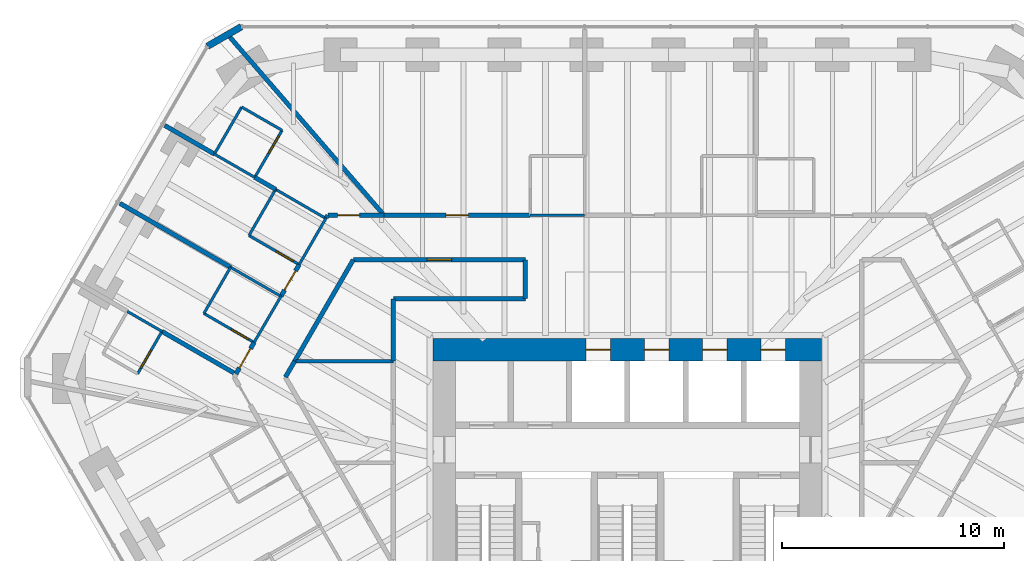
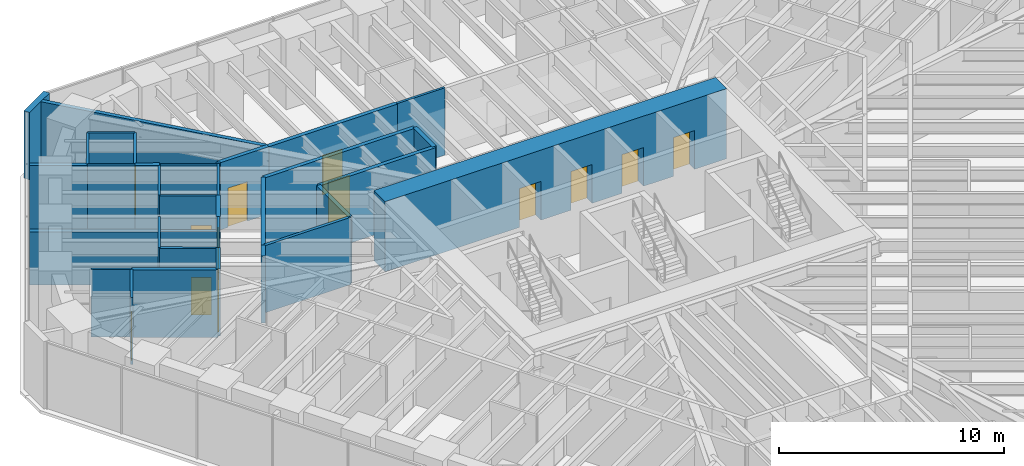
# One storey, part 14 of 17: 34 walls, 13 doors, 13 openings.
"""IFC4 building model written with IfcOpenShell, lengths in metres."""

from ifc_helpers import new_model, si_unit, direction, frame, frame_2d, origin, place, context, subcontext, project, spatial, rectangle, extrude, material, layer, layer_set, type_object, element, fill, save


model = new_model("IFC4")

# Units and contexts
model_context = context("Model", 3, precision=1e-05, world=origin(), true_north=direction((0.0, 1.0)))
body_context = subcontext(model_context, "Body", "Model", "MODEL_VIEW")
ifc_project = project(units=[si_unit("LENGTHUNIT", "METRE"), si_unit("AREAUNIT", "SQUARE_METRE"), si_unit("VOLUMEUNIT", "CUBIC_METRE"), si_unit("PLANEANGLEUNIT", "RADIAN"), si_unit("MASSUNIT", "GRAM", prefix="KILO")], contexts=[model_context])

# Site, building, storey
site_placement = place(None, origin())
site = spatial("IfcSite", under=ifc_project, at=site_placement, CompositionType="ELEMENT")
building_placement = place(site_placement, origin())
building = spatial("IfcBuilding", under=site, at=building_placement, Name="Sandreach Pilgrim Tower", CompositionType="ELEMENT")
storey_placement = place(building_placement, frame((0.0, 0.0, 194.60009765625)))
storey = spatial("IfcBuildingStorey", under=building, at=storey_placement, Name="L48", CompositionType="ELEMENT", Elevation=194.60009765625)

# Walls
ifc_material_1 = material(Name="Gypsum board on steel studs", Category="steel")
ifc_layer_1 = layer(ifc_material_1, 0.14990234375)
ifc_layer_set_1 = layer_set([ifc_layer_1], Name="Back of house wall 150")
wall_type_1 = type_object("IfcWallType", Name="Back of house wall 150", PredefinedType="PARTITIONING", material=ifc_layer_set_1)
wall_1_placement = place(storey_placement, frame((-14.93505859375, 6.090087890625, 0.0), z_axis=(0.0, 0.0, 1.0), x_axis=(1.0, 0.0, 0.0)))
element("IfcWall", 1, at=wall_1_placement, inside=storey, type_object=wall_type_1, Name="Back of house wall L48-037", PredefinedType="PARTITIONING", context=body_context, shape_type="SweptSolid", body=[
    extrude(rectangle(XDim=4.385009765625, YDim=0.14990234375, at=frame_2d((2.1923828125, 0.0))), origin(), (0.0, 0.0, 1.0), 3.639892578125),
])
ifc_material_2 = material(Name="Moisture-resistant gypsum board on steel studs", Category="steel")
ifc_layer_2 = layer(ifc_material_2, 0.1201171875)
ifc_layer_set_2 = layer_set([ifc_layer_2], Name="Bathroom partition 120")
wall_type_2 = type_object("IfcWallType", Name="Bathroom partition 120", PredefinedType="PARTITIONING", material=ifc_layer_set_2)
wall_2_placement = place(storey_placement, frame((-22.530029296875, 8.330078125, 0.0), z_axis=(0.0, 0.0, 1.0), x_axis=(0.866158505053, -0.499769390944, 0.0)))
element("IfcWall", 2, at=wall_2_placement, inside=storey, type_object=wall_type_2, Name="Bathroom partition L48-006", PredefinedType="PARTITIONING", context=body_context, shape_type="SweptSolid", body=[
    extrude(rectangle(XDim=1.801025390625, YDim=0.1201171875, at=frame_2d((0.900390625, 0.0))), origin(), (0.0, 0.0, 1.0), 3.639892578125),
])

# Wall, opening, door
wall_3_placement = place(storey_placement, frame((-22.070068359375, 5.52001953125, 0.0), z_axis=(0.0, 0.0, 1.0), x_axis=(0.499118212815, 0.866533905648, 0.0)))
wall_3 = element("IfcWall", 3, at=wall_3_placement, inside=storey, type_object=wall_type_2, Name="Bathroom partition L48-007", PredefinedType="PARTITIONING", context=body_context, shape_type="SweptSolid", body=[
    extrude(rectangle(XDim=2.2041015625, YDim=0.1201171875, at=frame_2d((1.10205078125, 0.0))), origin(), (0.0, 0.0, 1.0), 3.639892578125),
])
opening_1_placement = place(wall_3_placement, frame((0.300048828125, 0.0, 0.0)))
opening_1 = element("IfcOpeningElement", 4, at=opening_1_placement, cuts=wall_3, Name="Opening D09-17B", PredefinedType="OPENING", context=body_context, shape_type="SweptSolid", body=[
    extrude(rectangle(XDim=0.89990234375, YDim=2.030029296875, at=frame_2d((0.449951171875, 1.01513671875))), frame((0.0, 0.06005859375, 0.0), z_axis=(0.0, -1.0, 0.0), x_axis=(1.0, 0.0, 0.0)), (0.0, 0.0, 1.0), 0.1201171875),
])
ifc_material_3 = material(Name="Timber door, steel frame", Category="steel")
door_type_1 = type_object("IfcDoorType", Name="Bathroom door", OperationType="SINGLE_SWING_LEFT", PredefinedType="DOOR", material=ifc_material_3)
door_1_placement = place(opening_1_placement, origin())
door_1 = element("IfcDoor", 5, at=door_1_placement, inside=storey, type_object=door_type_1, Name="Door 4817B", OperationType="SINGLE_SWING_LEFT", OverallHeight=2.030029296875, OverallWidth=0.89990234375, PredefinedType="DOOR", context=body_context, shape_type="SweptSolid", body=[
    extrude(rectangle(XDim=0.89990234375, YDim=2.030029296875, at=frame_2d((0.449951171875, 1.01513671875))), frame((0.0, 0.02490234375, 0.0), z_axis=(0.0, -1.0, 0.0), x_axis=(1.0, 0.0, 0.0)), (0.0, 0.0, 1.0), 0.050048828125),
])
fill(opening_1, door_1)

wall_4_placement = place(storey_placement, frame((-19.080078125, 8.239990234375, 0.0), z_axis=(0.0, 0.0, 1.0), x_axis=(0.865155281359, -0.50150407689, 0.0)))
wall_4 = element("IfcWall", 6, at=wall_4_placement, inside=storey, type_object=wall_type_2, Name="Bathroom partition L48-011", PredefinedType="PARTITIONING", context=body_context, shape_type="SweptSolid", body=[
    extrude(rectangle(XDim=2.6123046875, YDim=0.1201171875, at=frame_2d((1.30615234375, 0.0))), origin(), (0.0, 0.0, 1.0), 3.639892578125),
])
opening_2_placement = place(wall_4_placement, frame((1.412109375, 0.0, 0.0)))
opening_2 = element("IfcOpeningElement", 7, at=opening_2_placement, cuts=wall_4, Name="Opening D09-18B", PredefinedType="OPENING", context=body_context, shape_type="SweptSolid", body=[
    extrude(rectangle(XDim=0.89990234375, YDim=2.030029296875, at=frame_2d((0.449951171875, 1.01513671875))), frame((0.0, 0.06005859375, 0.0), z_axis=(0.0, -1.0, 0.0), x_axis=(1.0, 0.0, 0.0)), (0.0, 0.0, 1.0), 0.1201171875),
])
door_2_placement = place(opening_2_placement, origin())
door_2 = element("IfcDoor", 8, at=door_2_placement, inside=storey, type_object=door_type_1, Name="Door 4818B", OperationType="SINGLE_SWING_RIGHT", OverallHeight=2.030029296875, OverallWidth=0.89990234375, PredefinedType="DOOR", context=body_context, shape_type="SweptSolid", body=[
    extrude(rectangle(XDim=0.89990234375, YDim=2.030029296875, at=frame_2d((0.449951171875, 1.01513671875))), frame((0.0, 0.02490234375, 0.0), z_axis=(0.0, -1.0, 0.0), x_axis=(1.0, 0.0, 0.0)), (0.0, 0.0, 1.0), 0.050048828125),
])
fill(opening_2, door_2)

# Walls
wall_5_placement = place(storey_placement, frame((-18.610107421875, 15.419921875, 0.0), z_axis=(0.0, 0.0, 1.0), x_axis=(0.86618365172, -0.499725806311, 0.0)))
element("IfcWall", 9, at=wall_5_placement, inside=storey, type_object=wall_type_2, Name="Bathroom partition L48-013", PredefinedType="PARTITIONING", context=body_context, shape_type="SweptSolid", body=[
    extrude(rectangle(XDim=2.101318359375, YDim=0.1201171875, at=frame_2d((1.05078125, 0.0))), origin(), (0.0, 0.0, 1.0), 3.639892578125),
])
wall_6_placement = place(storey_placement, frame((-17.8798828125, 10.320068359375, 0.0), z_axis=(0.0, 0.0, 1.0), x_axis=(-0.499769390944, -0.866158505053, 0.0)))
element("IfcWall", 10, at=wall_6_placement, inside=storey, type_object=wall_type_2, Name="Bathroom partition L48-014", PredefinedType="PARTITIONING", context=body_context, shape_type="SweptSolid", body=[
    extrude(rectangle(XDim=2.401611328125, YDim=0.1201171875, at=frame_2d((1.20068359375, 0.0))), origin(), (0.0, 0.0, 1.0), 3.639892578125),
])
wall_7_placement = place(storey_placement, frame((-17.8798828125, 10.320068359375, 0.0), z_axis=(0.0, 0.0, 1.0), x_axis=(0.866114241029, -0.499846097802, 0.0)))
element("IfcWall", 11, at=wall_7_placement, inside=storey, type_object=wall_type_2, Name="Bathroom partition L48-015", PredefinedType="PARTITIONING", context=body_context, shape_type="SweptSolid", body=[
    extrude(rectangle(XDim=2.620849609375, YDim=0.1201171875, at=frame_2d((1.310546875, 0.0))), origin(), (0.0, 0.0, 1.0), 2.8779296875),
])
wall_8_placement = place(storey_placement, frame((-17.3798828125, 17.5400390625, 0.0), z_axis=(0.0, 0.0, 1.0), x_axis=(-0.501888006485, -0.864932615264, 0.0)))
element("IfcWall", 12, at=wall_8_placement, inside=storey, type_object=wall_type_2, Name="Bathroom partition L48-020", PredefinedType="PARTITIONING", context=body_context, shape_type="SweptSolid", body=[
    extrude(rectangle(XDim=2.451171875, YDim=0.1201171875, at=frame_2d((1.2255859375, 0.0))), origin(), (0.0, 0.0, 1.0), 3.639892578125),
])

# Wall, opening, door
wall_9_placement = place(storey_placement, frame((-17.050048828125, 11.75, 0.0), z_axis=(0.0, 0.0, 1.0), x_axis=(0.865155281359, -0.50150407689, 0.0)))
wall_9 = element("IfcWall", 13, at=wall_9_placement, inside=storey, type_object=wall_type_2, Name="Bathroom partition L48-022", PredefinedType="PARTITIONING", context=body_context, shape_type="SweptSolid", body=[
    extrude(rectangle(XDim=2.6123046875, YDim=0.1201171875, at=frame_2d((1.30615234375, 0.0))), origin(), (0.0, 0.0, 1.0), 3.639892578125),
])
opening_3_placement = place(wall_9_placement, frame((1.412109375, 0.0, 0.0)))
opening_3 = element("IfcOpeningElement", 14, at=opening_3_placement, cuts=wall_9, Name="Opening D09-19B", PredefinedType="OPENING", context=body_context, shape_type="SweptSolid", body=[
    extrude(rectangle(XDim=0.89990234375, YDim=2.030029296875, at=frame_2d((0.449951171875, 1.01513671875))), frame((0.0, 0.06005859375, 0.0), z_axis=(0.0, -1.0, 0.0), x_axis=(1.0, 0.0, 0.0)), (0.0, 0.0, 1.0), 0.1201171875),
])
door_3_placement = place(opening_3_placement, origin())
door_3 = element("IfcDoor", 15, at=door_3_placement, inside=storey, type_object=door_type_1, Name="Door 4819B", OperationType="SINGLE_SWING_RIGHT", OverallHeight=2.030029296875, OverallWidth=0.89990234375, PredefinedType="DOOR", context=body_context, shape_type="SweptSolid", body=[
    extrude(rectangle(XDim=0.89990234375, YDim=2.030029296875, at=frame_2d((0.449951171875, 1.01513671875))), frame((0.0, 0.02490234375, 0.0), z_axis=(0.0, -1.0, 0.0), x_axis=(1.0, 0.0, 0.0)), (0.0, 0.0, 1.0), 0.050048828125),
])
fill(opening_3, door_3)

# Wall
wall_10_placement = place(storey_placement, frame((-16.820068359375, 6.929931640625, 0.0), z_axis=(0.0, 0.0, 1.0), x_axis=(0.502810888564, 0.864396442809, 0.0)))
element("IfcWall", 16, at=wall_10_placement, inside=storey, type_object=wall_type_2, Name="Bathroom partition L48-023", PredefinedType="PARTITIONING", context=body_context, shape_type="SweptSolid", body=[
    extrude(rectangle(XDim=2.406494140625, YDim=0.1201171875, at=frame_2d((1.203125, 0.0))), origin(), (0.0, 0.0, 1.0), 3.639892578125),
])

# Wall, opening, door
wall_11_placement = place(storey_placement, frame((-16.7900390625, 14.3701171875, 0.0), z_axis=(0.0, 0.0, 1.0), x_axis=(0.501856726365, 0.86495076519, 0.0)))
wall_11 = element("IfcWall", 17, at=wall_11_placement, inside=storey, type_object=wall_type_2, Name="Bathroom partition L48-025", PredefinedType="PARTITIONING", context=body_context, shape_type="SweptSolid", body=[
    extrude(rectangle(XDim=2.450927734375, YDim=0.1201171875, at=frame_2d((1.2255859375, 0.0))), origin(), (0.0, 0.0, 1.0), 3.639892578125),
])
opening_4_placement = place(wall_11_placement, frame((1.2509765625, 0.0, 0.0)))
opening_4 = element("IfcOpeningElement", 18, at=opening_4_placement, cuts=wall_11, Name="Opening D09-20B", PredefinedType="OPENING", context=body_context, shape_type="SweptSolid", body=[
    extrude(rectangle(XDim=0.89990234375, YDim=2.030029296875, at=frame_2d((0.449951171875, 1.01513671875))), frame((0.0, 0.06005859375, 0.0), z_axis=(0.0, -1.0, 0.0), x_axis=(1.0, 0.0, 0.0)), (0.0, 0.0, 1.0), 0.1201171875),
])
door_4_placement = place(opening_4_placement, origin())
door_4 = element("IfcDoor", 19, at=door_4_placement, inside=storey, type_object=door_type_1, Name="Door 4820B", OperationType="SINGLE_SWING_RIGHT", OverallHeight=2.030029296875, OverallWidth=0.89990234375, PredefinedType="DOOR", context=body_context, shape_type="SweptSolid", body=[
    extrude(rectangle(XDim=0.89990234375, YDim=2.030029296875, at=frame_2d((0.449951171875, 1.01513671875))), frame((0.0, 0.02490234375, 0.0), z_axis=(0.0, -1.0, 0.0), x_axis=(1.0, 0.0, 0.0)), (0.0, 0.0, 1.0), 0.050048828125),
])
fill(opening_4, door_4)

# Walls
wall_12_placement = place(storey_placement, frame((-15.85009765625, 13.830078125, 0.0), z_axis=(0.0, 0.0, 1.0), x_axis=(-0.499693115345, -0.866202511239, 0.0)))
element("IfcWall", 20, at=wall_12_placement, inside=storey, type_object=wall_type_2, Name="Bathroom partition L48-030", PredefinedType="PARTITIONING", context=body_context, shape_type="SweptSolid", body=[
    extrude(rectangle(XDim=2.4013671875, YDim=0.1201171875, at=frame_2d((1.20068359375, 0.0))), origin(), (0.0, 0.0, 1.0), 3.639892578125),
])
wall_13_placement = place(storey_placement, frame((-15.85009765625, 13.830078125, 0.0), z_axis=(0.0, 0.0, 1.0), x_axis=(0.865155281359, -0.50150407689, 0.0)))
element("IfcWall", 21, at=wall_13_placement, inside=storey, type_object=wall_type_2, Name="Bathroom partition L48-031", PredefinedType="PARTITIONING", context=body_context, shape_type="SweptSolid", body=[
    extrude(rectangle(XDim=2.6123046875, YDim=0.1201171875, at=frame_2d((1.30615234375, 0.0))), origin(), (0.0, 0.0, 1.0), 3.639892578125),
])
wall_14_placement = place(storey_placement, frame((-15.56005859375, 16.489990234375, 0.0), z_axis=(0.0, 0.0, 1.0), x_axis=(-0.86618365172, 0.499725806311, 0.0)))
element("IfcWall", 22, at=wall_14_placement, inside=storey, type_object=wall_type_2, Name="Bathroom partition L48-033", PredefinedType="PARTITIONING", context=body_context, shape_type="SweptSolid", body=[
    extrude(rectangle(XDim=2.101318359375, YDim=0.1201171875, at=frame_2d((1.05078125, 0.0))), origin(), (0.0, 0.0, 1.0), 3.639892578125),
])
wall_15_placement = place(storey_placement, frame((-14.78857421875, 10.439208984375, 0.0), z_axis=(0.0, 0.0, 1.0), x_axis=(0.499942119333, 0.866058818624, 0.0)))
element("IfcWall", 23, at=wall_15_placement, inside=storey, type_object=wall_type_2, Name="Bathroom partition L48-039", PredefinedType="PARTITIONING", context=body_context, shape_type="SweptSolid", body=[
    extrude(rectangle(XDim=2.437255859375, YDim=0.1201171875, at=frame_2d((1.21875, 0.0))), origin(), (0.0, 0.0, 1.0), 3.639892578125),
])
wall_16_placement = place(storey_placement, frame((-1.929931640625, 12.659912109375, 0.0), z_axis=(0.0, 0.0, 1.0), x_axis=(-1.0, 0.0, 0.0)))
element("IfcWall", 24, at=wall_16_placement, inside=storey, type_object=wall_type_2, Name="Bathroom partition L48-076", PredefinedType="PARTITIONING", context=body_context, shape_type="SweptSolid", body=[
    extrude(rectangle(XDim=2.449951171875, YDim=0.1201171875, at=frame_2d((1.22509765625, 0.0))), origin(), (0.0, 0.0, 1.0), 3.639892578125),
])

# Wall, openings, doors
ifc_material_4 = material(Name="Concrete 10000 psi", Category="concrete")
ifc_layer_3 = layer(ifc_material_4, 1.0)
ifc_layer_set_3 = layer_set([ifc_layer_3], Name="Core wall 1000")
wall_type_3 = type_object("IfcWallType", Name="Core wall 1000", PredefinedType="SHEAR", material=ifc_layer_set_3)
wall_17_placement = place(storey_placement, frame((-8.75, 6.60009765625, 0.0), z_axis=(0.0, 0.0, 1.0), x_axis=(1.0, 0.0, 0.0)))
wall_17 = element("IfcWall", 25, at=wall_17_placement, inside=storey, type_object=wall_type_3, Name="Core wall N L48", PredefinedType="SHEAR", context=body_context, shape_type="SweptSolid", body=[
    extrude(rectangle(XDim=17.5, YDim=1.0, at=frame_2d((8.75, 0.0))), origin(), (0.0, 0.0, 1.0), 3.7998046875),
])
opening_5_placement = place(wall_17_placement, frame((6.887451171875, 0.0, 0.0)))
opening_5 = element("IfcOpeningElement", 26, at=opening_5_placement, cuts=wall_17, Name="Opening LD11", PredefinedType="OPENING", context=body_context, shape_type="SweptSolid", body=[
    extrude(rectangle(XDim=1.10009765625, YDim=2.10009765625, at=frame_2d((0.550048828125, 1.050048828125))), frame((0.0, 0.5, 0.0), z_axis=(0.0, -1.0, 0.0), x_axis=(1.0, 0.0, 0.0)), (0.0, 0.0, 1.0), 1.0),
])
opening_6_placement = place(wall_17_placement, frame((9.512451171875, 0.0, 0.0)))
opening_6 = element("IfcOpeningElement", 27, at=opening_6_placement, cuts=wall_17, Name="Opening LD11", PredefinedType="OPENING", context=body_context, shape_type="SweptSolid", body=[
    extrude(rectangle(XDim=1.10009765625, YDim=2.10009765625, at=frame_2d((0.550048828125, 1.050048828125))), frame((0.0, 0.5, 0.0), z_axis=(0.0, -1.0, 0.0), x_axis=(1.0, 0.0, 0.0)), (0.0, 0.0, 1.0), 1.0),
])
opening_7_placement = place(wall_17_placement, frame((12.137451171875, 0.0, 0.0)))
opening_7 = element("IfcOpeningElement", 28, at=opening_7_placement, cuts=wall_17, Name="Opening LD11", PredefinedType="OPENING", context=body_context, shape_type="SweptSolid", body=[
    extrude(rectangle(XDim=1.10009765625, YDim=2.10009765625, at=frame_2d((0.550048828125, 1.050048828125))), frame((0.0, 0.5, 0.0), z_axis=(0.0, -1.0, 0.0), x_axis=(1.0, 0.0, 0.0)), (0.0, 0.0, 1.0), 1.0),
])
opening_8_placement = place(wall_17_placement, frame((14.762451171875, 0.0, 0.0)))
opening_8 = element("IfcOpeningElement", 29, at=opening_8_placement, cuts=wall_17, Name="Opening LD11", PredefinedType="OPENING", context=body_context, shape_type="SweptSolid", body=[
    extrude(rectangle(XDim=1.10009765625, YDim=2.10009765625, at=frame_2d((0.550048828125, 1.050048828125))), frame((0.0, 0.5, 0.0), z_axis=(0.0, -1.0, 0.0), x_axis=(1.0, 0.0, 0.0)), (0.0, 0.0, 1.0), 1.0),
])
ifc_material_5 = material(Name="Steel door and frame", Category="steel")
door_type_2 = type_object("IfcDoorType", Name="Lift landing door", OperationType="DOUBLE_DOOR_SLIDING", PredefinedType="DOOR", material=ifc_material_5)
door_5_placement = place(opening_5_placement, origin())
door_5 = element("IfcDoor", 30, at=door_5_placement, inside=storey, type_object=door_type_2, Name="Lift landing door Z3A L48", OperationType="DOUBLE_DOOR_SLIDING", OverallHeight=2.10009765625, OverallWidth=1.10009765625, PredefinedType="DOOR", context=body_context, shape_type="SweptSolid", body=[
    extrude(rectangle(XDim=1.10009765625, YDim=2.10009765625, at=frame_2d((0.550048828125, 1.050048828125))), frame((0.0, 0.02490234375, 0.0), z_axis=(0.0, -1.0, 0.0), x_axis=(1.0, 0.0, 0.0)), (0.0, 0.0, 1.0), 0.050048828125),
])
fill(opening_5, door_5)
door_6_placement = place(opening_6_placement, origin())
door_6 = element("IfcDoor", 31, at=door_6_placement, inside=storey, type_object=door_type_2, Name="Lift landing door Z3B L48", OperationType="DOUBLE_DOOR_SLIDING", OverallHeight=2.10009765625, OverallWidth=1.10009765625, PredefinedType="DOOR", context=body_context, shape_type="SweptSolid", body=[
    extrude(rectangle(XDim=1.10009765625, YDim=2.10009765625, at=frame_2d((0.550048828125, 1.050048828125))), frame((0.0, 0.02490234375, 0.0), z_axis=(0.0, -1.0, 0.0), x_axis=(1.0, 0.0, 0.0)), (0.0, 0.0, 1.0), 0.050048828125),
])
fill(opening_6, door_6)
door_7_placement = place(opening_7_placement, origin())
door_7 = element("IfcDoor", 32, at=door_7_placement, inside=storey, type_object=door_type_2, Name="Lift landing door Z3C L48", OperationType="DOUBLE_DOOR_SLIDING", OverallHeight=2.10009765625, OverallWidth=1.10009765625, PredefinedType="DOOR", context=body_context, shape_type="SweptSolid", body=[
    extrude(rectangle(XDim=1.10009765625, YDim=2.10009765625, at=frame_2d((0.550048828125, 1.050048828125))), frame((0.0, 0.02490234375, 0.0), z_axis=(0.0, -1.0, 0.0), x_axis=(1.0, 0.0, 0.0)), (0.0, 0.0, 1.0), 0.050048828125),
])
fill(opening_7, door_7)
door_8_placement = place(opening_8_placement, origin())
door_8 = element("IfcDoor", 33, at=door_8_placement, inside=storey, type_object=door_type_2, Name="Lift landing door Z3D L48", OperationType="DOUBLE_DOOR_SLIDING", OverallHeight=2.10009765625, OverallWidth=1.10009765625, PredefinedType="DOOR", context=body_context, shape_type="SweptSolid", body=[
    extrude(rectangle(XDim=1.10009765625, YDim=2.10009765625, at=frame_2d((0.550048828125, 1.050048828125))), frame((0.0, 0.02490234375, 0.0), z_axis=(0.0, -1.0, 0.0), x_axis=(1.0, 0.0, 0.0)), (0.0, 0.0, 1.0), 0.050048828125),
])
fill(opening_8, door_8)

# Wall, opening, door
ifc_material_6 = material(Name="Gypsum board on steel studs, two layers each side", Category="steel")
ifc_layer_4 = layer(ifc_material_6, 0.199951171875)
ifc_layer_set_4 = layer_set([ifc_layer_4], Name="Corridor wall 200")
wall_type_4 = type_object("IfcWallType", Name="Corridor wall 200", PredefinedType="PARTITIONING", material=ifc_layer_set_4)
wall_18_placement = place(storey_placement, frame((-17.639892578125, 5.510009765625, 0.0), z_axis=(0.0, 0.0, 1.0), x_axis=(0.500014611105, 0.866016967894, 0.0)))
wall_18 = element("IfcWall", 34, at=wall_18_placement, inside=storey, type_object=wall_type_4, Name="Corridor wall L48-017", PredefinedType="PARTITIONING", context=body_context, shape_type="SweptSolid", body=[
    extrude(rectangle(XDim=1.6396484375, YDim=0.199951171875, at=frame_2d((0.81982421875, 0.0))), origin(), (0.0, 0.0, 1.0), 3.639892578125),
])
opening_9_placement = place(wall_18_placement, frame((0.31982421875, 0.0, 0.0)))
opening_9 = element("IfcOpeningElement", 35, at=opening_9_placement, cuts=wall_18, Name="Opening D10-18", PredefinedType="OPENING", context=body_context, shape_type="SweptSolid", body=[
    extrude(rectangle(XDim=1.0, YDim=2.1298828125, at=frame_2d((0.5, 1.06494140625))), frame((0.0, 0.10009765625, 0.0), z_axis=(0.0, -1.0, 0.0), x_axis=(1.0, 0.0, 0.0)), (0.0, 0.0, 1.0), 0.199951171875),
])
ifc_material_7 = material(Name="Steel door and frame", Category="steel")
door_type_3 = type_object("IfcDoorType", Name="Guest room entry door", OperationType="SINGLE_SWING_LEFT", PredefinedType="DOOR", material=ifc_material_7)
door_9_placement = place(opening_9_placement, origin())
door_9 = element("IfcDoor", 36, at=door_9_placement, inside=storey, type_object=door_type_3, Name="Door 4818", OperationType="SINGLE_SWING_LEFT", OverallHeight=2.1298828125, OverallWidth=1.0, PredefinedType="DOOR", context=body_context, shape_type="SweptSolid", body=[
    extrude(rectangle(XDim=1.0, YDim=2.1298828125, at=frame_2d((0.5, 1.06494140625))), frame((0.0, 0.02490234375, 0.0), z_axis=(0.0, -1.0, 0.0), x_axis=(1.0, 0.0, 0.0)), (0.0, 0.0, 1.0), 0.050048828125),
])
fill(opening_9, door_9)

wall_19_placement = place(storey_placement, frame((-15.610107421875, 9.010009765625, 0.0), z_axis=(0.0, 0.0, 1.0), x_axis=(0.498354254121, 0.866973492905, 0.0)))
wall_19 = element("IfcWall", 37, at=wall_19_placement, inside=storey, type_object=wall_type_4, Name="Corridor wall L48-032", PredefinedType="PARTITIONING", context=body_context, shape_type="SweptSolid", body=[
    extrude(rectangle(XDim=1.6484375, YDim=0.199951171875, at=frame_2d((0.82421875, 0.0))), origin(), (0.0, 0.0, 1.0), 3.639892578125),
])
opening_10_placement = place(wall_19_placement, frame((0.32421875, 0.0, 0.0)))
opening_10 = element("IfcOpeningElement", 38, at=opening_10_placement, cuts=wall_19, Name="Opening D10-19", PredefinedType="OPENING", context=body_context, shape_type="SweptSolid", body=[
    extrude(rectangle(XDim=1.0, YDim=2.1298828125, at=frame_2d((0.5, 1.06494140625))), frame((0.0, 0.10009765625, 0.0), z_axis=(0.0, -1.0, 0.0), x_axis=(1.0, 0.0, 0.0)), (0.0, 0.0, 1.0), 0.199951171875),
])
door_10_placement = place(opening_10_placement, origin())
door_10 = element("IfcDoor", 39, at=door_10_placement, inside=storey, type_object=door_type_3, Name="Door 4819", OperationType="SINGLE_SWING_LEFT", OverallHeight=2.1298828125, OverallWidth=1.0, PredefinedType="DOOR", context=body_context, shape_type="SweptSolid", body=[
    extrude(rectangle(XDim=1.0, YDim=2.1298828125, at=frame_2d((0.5, 1.06494140625))), frame((0.0, 0.02490234375, 0.0), z_axis=(0.0, -1.0, 0.0), x_axis=(1.0, 0.0, 0.0)), (0.0, 0.0, 1.0), 0.050048828125),
])
fill(opening_10, door_10)

# Walls
wall_20_placement = place(storey_placement, frame((-15.409912109375, 5.3701171875, 0.0), z_axis=(0.0, 0.0, 1.0), x_axis=(0.503943891868, 0.863736391412, 0.0)))
element("IfcWall", 40, at=wall_20_placement, inside=storey, type_object=wall_type_4, Name="Corridor wall L48-034", PredefinedType="PARTITIONING", context=body_context, shape_type="SweptSolid", body=[
    extrude(rectangle(XDim=0.833251953125, YDim=0.199951171875, at=frame_2d((0.41650390625, 0.0))), origin(), (0.0, 0.0, 1.0), 3.639892578125),
])
wall_21_placement = place(storey_placement, frame((-14.989990234375, 6.090087890625, 0.0), z_axis=(0.0, 0.0, 1.0), x_axis=(0.500213626659, 0.86590203124, 0.0)))
element("IfcWall", 41, at=wall_21_placement, inside=storey, type_object=wall_type_4, Name="Corridor wall L48-036", PredefinedType="PARTITIONING", context=body_context, shape_type="SweptSolid", body=[
    extrude(rectangle(XDim=5.277587890625, YDim=0.199951171875, at=frame_2d((2.638671875, 0.0))), origin(), (0.0, 0.0, 1.0), 3.639892578125),
])
wall_22_placement = place(storey_placement, frame((-13.5, 12.659912109375, 0.0), z_axis=(0.0, 0.0, 1.0), x_axis=(-0.537723852201, -0.843121022614, 0.0)))
element("IfcWall", 42, at=wall_22_placement, inside=storey, type_object=wall_type_4, Name="Corridor wall L48-041", PredefinedType="PARTITIONING", context=body_context, shape_type="SweptSolid", body=[
    extrude(rectangle(XDim=0.13037109375, YDim=0.199951171875, at=frame_2d((0.065185546875, 0.0))), origin(), (0.0, 0.0, 1.0), 3.639892578125),
])

# Wall, opening, door
wall_23_placement = place(storey_placement, frame((-12.35009765625, 10.659912109375, 0.0), z_axis=(0.0, 0.0, 1.0), x_axis=(1.0, 0.0, 0.0)))
wall_23 = element("IfcWall", 43, at=wall_23_placement, inside=storey, type_object=wall_type_4, Name="Corridor wall L48-044", PredefinedType="PARTITIONING", context=body_context, shape_type="SweptSolid", body=[
    extrude(rectangle(XDim=7.75, YDim=0.199951171875, at=frame_2d((3.875, 0.0))), origin(), (0.0, 0.0, 1.0), 3.639892578125),
])
opening_11_placement = place(wall_23_placement, frame((3.324951171875, 0.0, 0.0)))
opening_11 = element("IfcOpeningElement", 44, at=opening_11_placement, cuts=wall_23, Name="Opening D11H-M03", PredefinedType="OPENING", context=body_context, shape_type="SweptSolid", body=[
    extrude(rectangle(XDim=1.10009765625, YDim=2.199951171875, at=frame_2d((0.550048828125, 1.10009765625))), frame((0.0, 0.10009765625, 0.0), z_axis=(0.0, -1.0, 0.0), x_axis=(1.0, 0.0, 0.0)), (0.0, 0.0, 1.0), 0.199951171875),
])
ifc_material_8 = material(Name="Steel door and frame", Category="steel")
door_type_4 = type_object("IfcDoorType", Name="Back of house door", OperationType="SINGLE_SWING_LEFT", PredefinedType="DOOR", material=ifc_material_8)
door_11_placement = place(opening_11_placement, origin())
door_11 = element("IfcDoor", 45, at=door_11_placement, inside=storey, type_object=door_type_4, Name="Door 48M03", OperationType="SINGLE_SWING_LEFT", OverallHeight=2.199951171875, OverallWidth=1.10009765625, PredefinedType="DOOR", context=body_context, shape_type="SweptSolid", body=[
    extrude(rectangle(XDim=1.10009765625, YDim=2.199951171875, at=frame_2d((0.550048828125, 1.10009765625))), frame((0.0, 0.02490234375, 0.0), z_axis=(0.0, -1.0, 0.0), x_axis=(1.0, 0.0, 0.0)), (0.0, 0.0, 1.0), 0.050048828125),
])
fill(opening_11, door_11)

wall_24_placement = place(storey_placement, frame((-10.9599609375, 12.659912109375, 0.0), z_axis=(0.0, 0.0, 1.0), x_axis=(-1.0, 0.0, 0.0)))
wall_24 = element("IfcWall", 46, at=wall_24_placement, inside=storey, type_object=wall_type_4, Name="Corridor wall L48-049", PredefinedType="PARTITIONING", context=body_context, shape_type="SweptSolid", body=[
    extrude(rectangle(XDim=2.5400390625, YDim=0.199951171875, at=frame_2d((1.27001953125, 0.0))), origin(), (0.0, 0.0, 1.0), 3.639892578125),
])
opening_12_placement = place(wall_24_placement, frame((1.10009765625, 0.0, 0.0)))
opening_12 = element("IfcOpeningElement", 47, at=opening_12_placement, cuts=wall_24, Name="Opening D10-20", PredefinedType="OPENING", context=body_context, shape_type="SweptSolid", body=[
    extrude(rectangle(XDim=1.0, YDim=2.1298828125, at=frame_2d((0.5, 1.06494140625))), frame((0.0, 0.10009765625, 0.0), z_axis=(0.0, -1.0, 0.0), x_axis=(1.0, 0.0, 0.0)), (0.0, 0.0, 1.0), 0.199951171875),
])
door_12_placement = place(opening_12_placement, origin())
door_12 = element("IfcDoor", 48, at=door_12_placement, inside=storey, type_object=door_type_3, Name="Door 4820", OperationType="SINGLE_SWING_RIGHT", OverallHeight=2.1298828125, OverallWidth=1.0, PredefinedType="DOOR", context=body_context, shape_type="SweptSolid", body=[
    extrude(rectangle(XDim=1.0, YDim=2.1298828125, at=frame_2d((0.5, 1.06494140625))), frame((0.0, 0.02490234375, 0.0), z_axis=(0.0, -1.0, 0.0), x_axis=(1.0, 0.0, 0.0)), (0.0, 0.0, 1.0), 0.050048828125),
])
fill(opening_12, door_12)

# Walls
wall_25_placement = place(storey_placement, frame((-10.550048828125, 8.889892578125, 0.0), z_axis=(0.0, 0.0, 1.0), x_axis=(0.0, -1.0, 0.0)))
element("IfcWall", 49, at=wall_25_placement, inside=storey, type_object=wall_type_4, Name="Corridor wall L48-054", PredefinedType="PARTITIONING", context=body_context, shape_type="SweptSolid", body=[
    extrude(rectangle(XDim=2.7998046875, YDim=0.199951171875, at=frame_2d((1.39990234375, 0.0))), origin(), (0.0, 0.0, 1.0), 3.639892578125),
])
wall_26_placement = place(storey_placement, frame((-4.60009765625, 8.89990234375, 0.0), z_axis=(0.0, 0.0, 1.0), x_axis=(-1.0, 0.0, 0.0)))
element("IfcWall", 50, at=wall_26_placement, inside=storey, type_object=wall_type_4, Name="Corridor wall L48-061", PredefinedType="PARTITIONING", context=body_context, shape_type="SweptSolid", body=[
    extrude(rectangle(XDim=5.949951171875, YDim=0.199951171875, at=frame_2d((2.97509765625, 0.0))), origin(), (0.0, 0.0, 1.0), 3.639892578125),
])
wall_27_placement = place(storey_placement, frame((-4.60009765625, 10.64990234375, 0.0), z_axis=(0.0, 0.0, 1.0), x_axis=(0.0, -1.0, 0.0)))
element("IfcWall", 51, at=wall_27_placement, inside=storey, type_object=wall_type_4, Name="Corridor wall L48-062", PredefinedType="PARTITIONING", context=body_context, shape_type="SweptSolid", body=[
    extrude(rectangle(XDim=1.739990234375, YDim=0.199951171875, at=frame_2d((0.8701171875, 0.0))), origin(), (0.0, 0.0, 1.0), 3.639892578125),
])

# Wall, opening, door
wall_28_placement = place(storey_placement, frame((-4.3798828125, 12.659912109375, 0.0), z_axis=(0.0, 0.0, 1.0), x_axis=(-1.0, 0.0, 0.0)))
wall_28 = element("IfcWall", 52, at=wall_28_placement, inside=storey, type_object=wall_type_4, Name="Corridor wall L48-063", PredefinedType="PARTITIONING", context=body_context, shape_type="SweptSolid", body=[
    extrude(rectangle(XDim=6.580078125, YDim=0.199951171875, at=frame_2d((3.2900390625, 0.0))), origin(), (0.0, 0.0, 1.0), 3.639892578125),
])
opening_13_placement = place(wall_28_placement, frame((2.7900390625, 0.0, 0.0)))
opening_13 = element("IfcOpeningElement", 53, at=opening_13_placement, cuts=wall_28, Name="Opening D10-01", PredefinedType="OPENING", context=body_context, shape_type="SweptSolid", body=[
    extrude(rectangle(XDim=1.0, YDim=2.1298828125, at=frame_2d((0.5, 1.06494140625))), frame((0.0, 0.10009765625, 0.0), z_axis=(0.0, -1.0, 0.0), x_axis=(1.0, 0.0, 0.0)), (0.0, 0.0, 1.0), 0.199951171875),
])
door_13_placement = place(opening_13_placement, origin())
door_13 = element("IfcDoor", 54, at=door_13_placement, inside=storey, type_object=door_type_3, Name="Door 4801", OperationType="SINGLE_SWING_LEFT", OverallHeight=2.1298828125, OverallWidth=1.0, PredefinedType="DOOR", context=body_context, shape_type="SweptSolid", body=[
    extrude(rectangle(XDim=1.0, YDim=2.1298828125, at=frame_2d((0.5, 1.06494140625))), frame((0.0, 0.02490234375, 0.0), z_axis=(0.0, -1.0, 0.0), x_axis=(1.0, 0.0, 0.0)), (0.0, 0.0, 1.0), 0.050048828125),
])
fill(opening_13, door_13)

# Walls
ifc_material_9 = material(Name="Double steel stud acoustic wall, gypsum board", Category="steel")
ifc_layer_5 = layer(ifc_material_9, 0.199951171875)
ifc_layer_set_5 = layer_set([ifc_layer_5], Name="Party wall 200")
wall_type_5 = type_object("IfcWallType", Name="Party wall 200", PredefinedType="PARTITIONING", material=ifc_layer_set_5)
wall_29_placement = place(storey_placement, frame((-22.865966796875, 13.199951171875, 0.0), z_axis=(0.0, 0.0, 1.0), x_axis=(0.865937714159, -0.500151852138, 0.0)))
element("IfcWall", 55, at=wall_29_placement, inside=storey, type_object=wall_type_5, Name="Party wall L48-004", PredefinedType="PARTITIONING", context=body_context, shape_type="SweptSolid", body=[
    extrude(rectangle(XDim=5.758056640625, YDim=0.199951171875, at=frame_2d((2.87890625, 0.0))), origin(), (0.0, 0.0, 1.0), 2.8779296875),
])
wall_30_placement = place(storey_placement, frame((-20.969970703125, 7.429931640625, 0.0), z_axis=(0.0, 0.0, 1.0), x_axis=(0.866325681624, -0.499479542482, 0.0)))
element("IfcWall", 56, at=wall_30_placement, inside=storey, type_object=wall_type_5, Name="Party wall L48-009", PredefinedType="PARTITIONING", context=body_context, shape_type="SweptSolid", body=[
    extrude(rectangle(XDim=3.82861328125, YDim=0.199951171875, at=frame_2d((1.914306640625, 0.0))), origin(), (0.0, 0.0, 1.0), 3.639892578125),
])
wall_31_placement = place(storey_placement, frame((-20.845947265625, 16.7099609375, 0.0), z_axis=(0.0, 0.0, 1.0), x_axis=(0.866163541035, -0.499760662899, 0.0)))
element("IfcWall", 57, at=wall_31_placement, inside=storey, type_object=wall_type_5, Name="Party wall L48-010", PredefinedType="PARTITIONING", context=body_context, shape_type="SweptSolid", body=[
    extrude(rectangle(XDim=2.581298828125, YDim=0.199951171875, at=frame_2d((1.29052734375, 0.0))), origin(), (0.0, 0.0, 1.0), 3.639892578125),
])
wall_32_placement = place(storey_placement, frame((-16.7900390625, 14.3701171875, 0.0), z_axis=(0.0, 0.0, 1.0), x_axis=(0.867132442133, -0.498077632303, 0.0)))
element("IfcWall", 58, at=wall_32_placement, inside=storey, type_object=wall_type_5, Name="Party wall L48-024", PredefinedType="PARTITIONING", context=body_context, shape_type="SweptSolid", body=[
    extrude(rectangle(XDim=1.084228515625, YDim=0.199951171875, at=frame_2d((0.5419921875, 0.0))), origin(), (0.0, 0.0, 1.0), 3.639892578125),
])
wall_33_placement = place(storey_placement, frame((-11.025390625, 12.735595703125, 0.0), z_axis=(0.0, 0.0, 1.0), x_axis=(-0.654431245438, 0.756121514702, 0.0)))
element("IfcWall", 59, at=wall_33_placement, inside=storey, type_object=wall_type_5, Name="Party wall L48-048", PredefinedType="PARTITIONING", context=body_context, shape_type="SweptSolid", body=[
    extrude(rectangle(XDim=10.6884765625, YDim=0.199951171875, at=frame_2d((5.34423828125, 0.0))), origin(), (0.0, 0.0, 1.0), 3.639892578125),
])
ifc_material_10 = material(Name="Terracotta rainscreen on concrete", Category="masonry")
ifc_layer_6 = layer(ifc_material_10, 0.300048828125)
ifc_layer_set_6 = layer_set([ifc_layer_6], Name="Terracotta chamfer pier")
wall_type_6 = type_object("IfcWallType", Name="Terracotta chamfer pier", PredefinedType="SOLIDWALL", material=ifc_layer_set_6)
wall_34_placement = place(storey_placement, frame((-18.9228515625, 20.275146484375, 0.0), z_axis=(0.0, 0.0, 1.0), x_axis=(0.866036293601, 0.499981137809, 0.0)))
element("IfcWall", 60, at=wall_34_placement, inside=storey, type_object=wall_type_6, Name="Chamfer pier L48 NW", PredefinedType="SOLIDWALL", context=body_context, shape_type="SweptSolid", body=[
    extrude(rectangle(XDim=1.77001953125, YDim=0.300048828125, at=frame_2d((0.885009765625, 0.0))), origin(), (0.0, 0.0, 1.0), 3.639892578125),
])

save(model, "model.ifc")
